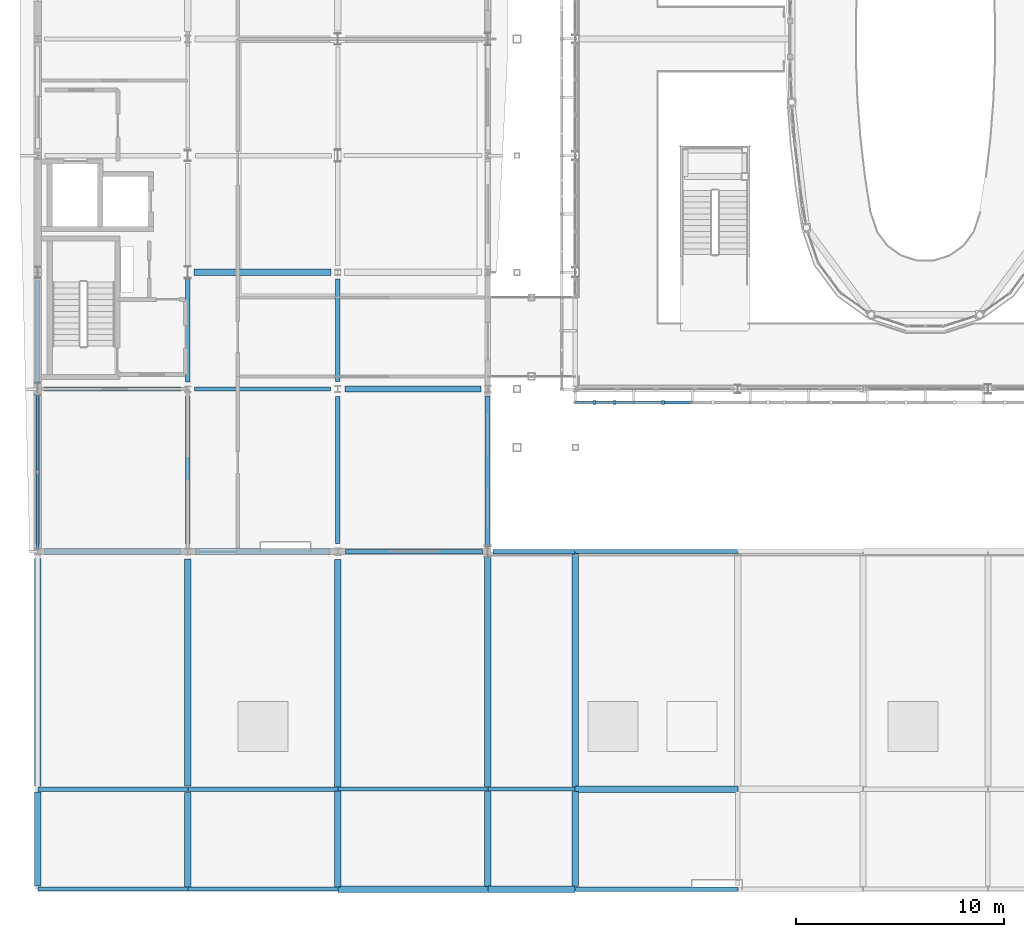
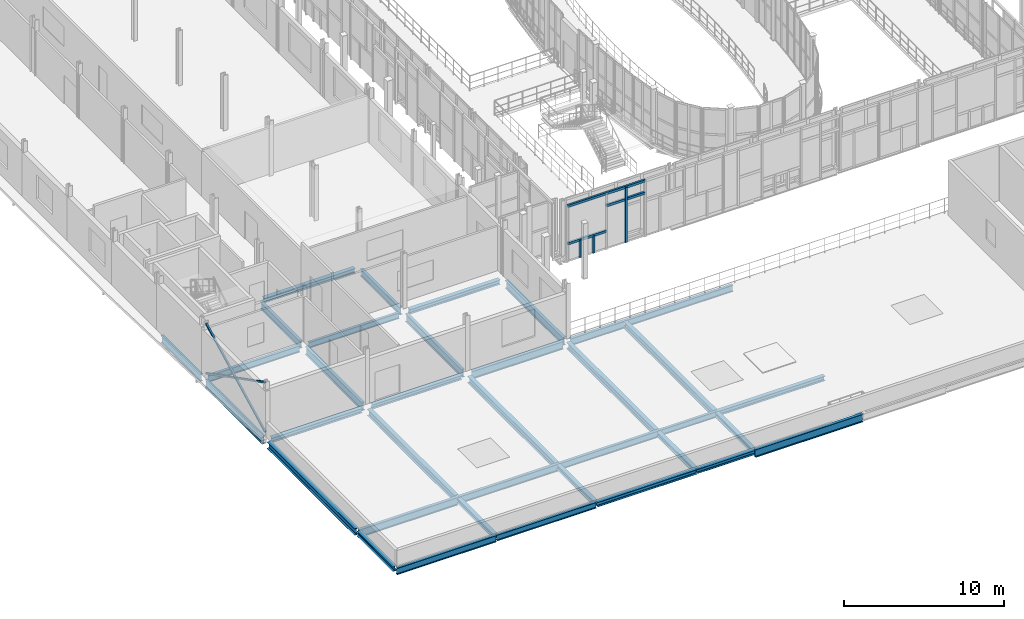
# One storey, part 25 of 138: 36 beams, 10 members.
"""IFC4 building model written with IfcOpenShell, lengths in metres."""

import ifcopenshell
import ifcopenshell.guid

model = None  # the IFC model being written
_history = None  # IfcOwnerHistory: only IFC2X3 demands one
_inside = {}  # id of a spatial element -> (the spatial element, [elements in it])
_under = {}  # id of a project, library or spatial element -> (it, [spatial elements below it])
_declared = {}  # id of a project -> (the project, [libraries it declares])
_typed = {}  # id of a type object -> (the type object, [elements of that type])
_made_of = {}  # id of a material, layer set ... -> (it, [elements and type objects made of it])


def new_model(schema):
    """Start an empty IFC model of exactly this schema.

    Asked for "IFC4X3", IfcOpenShell would pick the latest addendum, in which some entities
    have other attributes; the version numbers below select the first issue.
    IFC2X3 requires an IfcOwnerHistory on every rooted entity: one is made here for all.
    """
    global model, _history
    if schema == "IFC4X3":
        model = ifcopenshell.file(schema_version=(4, 3, 0, 0))
    else:
        model = ifcopenshell.file(schema=schema)
    _inside.clear()
    _under.clear()
    _declared.clear()
    _typed.clear()
    _made_of.clear()
    _history = None
    if model.schema == "IFC2X3":
        org = make("IfcOrganization", Name="unknown")
        user = make(
            "IfcPersonAndOrganization",
            ThePerson=make("IfcPerson", FamilyName="unknown"),
            TheOrganization=org,
        )
        app = make(
            "IfcApplication",
            ApplicationDeveloper=org,
            Version="unknown",
            ApplicationFullName="unknown",
            ApplicationIdentifier="unknown",
        )
        _history = make(
            "IfcOwnerHistory",
            OwningUser=user,
            OwningApplication=app,
            ChangeAction="ADDED",
            CreationDate=0,
        )
    return model


def make(cls, **values):
    """One entity of the class cls with the attributes given. An attribute that is None is left unset."""
    return model.create_entity(
        cls, **{name: value for name, value in values.items() if value is not None}
    )


def rooted(cls, **values):
    """An entity with a GlobalId (a new one), such as an element, a storey or a relation."""
    return make(cls, GlobalId=ifcopenshell.guid.new(), OwnerHistory=_history, **values)


def si_unit(unit_type, name, prefix=None):
    """IfcSIUnit, for example si_unit("LENGTHUNIT", "METRE", prefix="MILLI")."""
    return make("IfcSIUnit", UnitType=unit_type, Prefix=prefix, Name=name)


def assignment(units):
    """IfcUnitAssignment: the units of a project."""
    return None if units is None else make("IfcUnitAssignment", Units=units)


def point(xyz):
    """IfcCartesianPoint."""
    return None if xyz is None else make("IfcCartesianPoint", Coordinates=xyz)


def direction(xyz):
    """IfcDirection."""
    return None if xyz is None else make("IfcDirection", DirectionRatios=xyz)


def frame(location, z_axis=None, x_axis=None):
    """IfcAxis2Placement3D, a coordinate frame: its origin and axes. An axis left out is left unset."""
    return make(
        "IfcAxis2Placement3D",
        Location=point(location),
        Axis=direction(z_axis),
        RefDirection=direction(x_axis),
    )


def frame_2d(location, x_axis=None):
    """IfcAxis2Placement2D, a coordinate frame in the plane: its origin and x axis."""
    return make(
        "IfcAxis2Placement2D", Location=point(location), RefDirection=direction(x_axis)
    )


def origin():
    """The frame at (0, 0, 0) with its axes left unset."""
    return frame((0.0, 0.0, 0.0))


def origin_2d():
    """The frame at (0, 0) in the plane with its x axis left unset."""
    return frame_2d((0.0, 0.0))


def place(relative_to, where):
    """IfcLocalPlacement: puts the frame where relative to a parent placement (None: the world)."""
    return make(
        "IfcLocalPlacement", PlacementRelTo=relative_to, RelativePlacement=where
    )


def context(
    kind, dimensions, precision=None, world=None, true_north=None, identifier=None
):
    """IfcGeometricRepresentationContext, for example the 3D "Model" context."""
    return make(
        "IfcGeometricRepresentationContext",
        ContextIdentifier=identifier,
        ContextType=kind,
        CoordinateSpaceDimension=dimensions,
        Precision=precision,
        WorldCoordinateSystem=world,
        TrueNorth=true_north,
    )


def subcontext(parent, identifier, kind, view, scale=None):
    """IfcGeometricRepresentationSubContext, for example "Body" below "Model"."""
    return make(
        "IfcGeometricRepresentationSubContext",
        ContextIdentifier=identifier,
        ContextType=kind,
        ParentContext=parent,
        TargetScale=scale,
        TargetView=view,
    )


def project(units=None, contexts=None):
    """IfcProject with its units and contexts."""
    return rooted(
        "IfcProject",
        Name="project",
        RepresentationContexts=contexts,
        UnitsInContext=assignment(units),
    )


def spatial(cls, under=None, at=None, **own):
    """A site, building, storey or space (cls), placed at a placement, below another one or the project."""
    s = rooted(cls, ObjectPlacement=at, **own)
    if under is not None:
        _under.setdefault(under.id(), (under, []))[1].append(s)
    return s


def profile(cls, at=None, kind="AREA", **sizes):
    """A parametric profile (cls). Its sizes go by their IFC names, for example OverallWidth=200.0."""
    return make(cls, ProfileType=kind, Position=at, **sizes)


def rectangle(**sizes):
    """IfcRectangleProfileDef."""
    return profile("IfcRectangleProfileDef", **sizes)


def hollow_rectangle(**sizes):
    """IfcRectangleHollowProfileDef."""
    return profile("IfcRectangleHollowProfileDef", **sizes)


def i_section(**sizes):
    """IfcIShapeProfileDef."""
    return profile("IfcIShapeProfileDef", **sizes)


def extrude(swept, where, along, depth):
    """IfcExtrudedAreaSolid: the profile swept, set in the frame where, extruded along a direction by depth."""
    return make(
        "IfcExtrudedAreaSolid",
        SweptArea=swept,
        Position=where,
        ExtrudedDirection=direction(along),
        Depth=depth,
    )


def shape(context_of_items, identifier, shape_type, items):
    """IfcShapeRepresentation: the items that make up one representation, for example the "Body"."""
    return make(
        "IfcShapeRepresentation",
        ContextOfItems=context_of_items,
        RepresentationIdentifier=identifier,
        RepresentationType=shape_type,
        Items=items,
    )


def material(Name=None, Category=None):
    """IfcMaterial."""
    return make("IfcMaterial", Name=Name, Category=Category)


def material_profile(
    of_material, cross_section, Name=None, Category=None, Priority=None
):
    """IfcMaterialProfile: a cross section and its material."""
    return make(
        "IfcMaterialProfile",
        Name=Name,
        Material=of_material,
        Profile=cross_section,
        Priority=Priority,
        Category=Category,
    )


def profile_set(profiles, Name=None, composite=None):
    """IfcMaterialProfileSet."""
    return make(
        "IfcMaterialProfileSet",
        Name=Name,
        MaterialProfiles=profiles,
        CompositeProfile=composite,
    )


def made_of(thing, what):
    """Note that an element or type object is made of a material, layer set ...; save() writes the relation."""
    if what is not None:
        _made_of.setdefault(what.id(), (what, []))[1].append(thing)
    return thing


def type_object(cls, material=None, **own):
    """A type object (cls), such as IfcWallType, which elements share."""
    return made_of(rooted(cls, **own), material)


def element(
    cls,
    number,
    at=None,
    inside=None,
    cuts=None,
    type_object=None,
    material=None,
    context=None,
    identifier="Body",
    shape_type=None,
    held_by="IfcProductDefinitionShape",
    body=None,
    shapes=None,
    **own,
):
    """One element of the class cls, such as IfcWall. Its Tag is "e" and its number.

    at: its placement. inside: the storey or other place that contains it. cuts: it is an
    opening in that element (IfcRelVoidsElement). A single representation is given by context,
    identifier, shape_type and body (its items); several are given by shapes. held_by: the class
    of the entity that holds the representations. save() writes the other relations.
    """
    e = rooted(cls, Tag="e%d" % number, ObjectPlacement=at, **own)
    if body is not None:
        shapes = [shape(context, identifier, shape_type, body)]
    if shapes is not None:
        e.Representation = make(held_by, Representations=shapes)
    if inside is not None:
        _inside.setdefault(inside.id(), (inside, []))[1].append(e)
    if cuts is not None:
        rooted(
            "IfcRelVoidsElement", RelatingBuildingElement=cuts, RelatedOpeningElement=e
        )
    if type_object is not None:
        _typed.setdefault(type_object.id(), (type_object, []))[1].append(e)
    return made_of(e, material)


def aggregate(whole, parts):
    """IfcRelAggregates: a whole, such as a stair, and the parts it consists of."""
    return rooted("IfcRelAggregates", RelatingObject=whole, RelatedObjects=parts)


def save(model, path):
    """Write the relations noted so far, then the file.

    IfcRelAggregates (storeys below a building ...), IfcRelContainedInSpatialStructure (elements
    in a storey), IfcRelDefinesByType, IfcRelAssociatesMaterial and IfcRelDeclares: one each for
    every whole, place, type object, material and project.
    """
    for whole, parts in _under.values():
        aggregate(whole, parts)
    for where, things in _inside.values():
        rooted(
            "IfcRelContainedInSpatialStructure",
            RelatedElements=things,
            RelatingStructure=where,
        )
    for kind, things in _typed.values():
        rooted("IfcRelDefinesByType", RelatedObjects=things, RelatingType=kind)
    for what, things in _made_of.values():
        rooted("IfcRelAssociatesMaterial", RelatedObjects=things, RelatingMaterial=what)
    for by, libraries in _declared.values():
        rooted("IfcRelDeclares", RelatingContext=by, RelatedDefinitions=libraries)
    model.write(path)


model = new_model("IFC4")

# Units and contexts
model_context = context("Model", 3, precision=1e-05, world=origin(), true_north=direction((0.0, 1.0)))
body_context = subcontext(model_context, "Body", "Model", "MODEL_VIEW")
ifc_project = project(units=[si_unit("LENGTHUNIT", "METRE"), si_unit("AREAUNIT", "SQUARE_METRE"), si_unit("VOLUMEUNIT", "CUBIC_METRE"), si_unit("PLANEANGLEUNIT", "RADIAN"), si_unit("MASSUNIT", "GRAM", prefix="KILO")], contexts=[model_context])

# Site, building, storey
site_placement = place(None, origin())
site = spatial("IfcSite", under=ifc_project, at=site_placement, CompositionType="ELEMENT")
building_placement = place(site_placement, origin())
building = spatial("IfcBuilding", under=site, at=building_placement, Name="Vinh Khe Railworks Police Headquarters", CompositionType="ELEMENT")
storey_placement = place(building_placement, frame((0.0, 0.0, 9.0)))
storey = spatial("IfcBuildingStorey", under=building, at=storey_placement, Name="L02", CompositionType="ELEMENT", Elevation=9.0)

# Members
ifc_material_1 = material(Name="Steel S355JR", Category="steel")
ifc_material_profile_1 = material_profile(ifc_material_1, hollow_rectangle(XDim=0.1201171875, YDim=0.1201171875, WallThickness=0.008056640625, at=origin_2d()), Name="SHS 120x120x8")
ifc_profile_set_1 = profile_set([ifc_material_profile_1], Name="Steel S355JR")
member_type_1 = type_object("IfcMemberType", Name="Concentric Brace SHS 120x120x8", PredefinedType="BRACE", material=ifc_profile_set_1)
member_1_placement = place(storey_placement, frame((0.60009765625, 17.52490234375, 0.199951171875), z_axis=(0.0, 0.889439597532, 0.45705273475), x_axis=(-1.0, 0.0, 0.0)))
element("IfcMember", 1, at=member_1_placement, inside=storey, type_object=member_type_1, Name="Continuous Concentric Brace MEM-BR-L02-BR-07-007", PredefinedType="BRACE", context=body_context, shape_type="SweptSolid", body=[
    extrude(hollow_rectangle(XDim=0.1201171875, YDim=0.1201171875, WallThickness=0.008056640625, at=origin_2d()), origin(), (0.0, 0.0, 1.0), 8.314208984375),
])
for number, where, z_axis, x_axis, name in (
    (2, (0.60009765625, 17.52490234375, 4.0), (0.0, 0.889436020701, -0.457059695314), (-1.0, 0.0, 0.0), "Split X-Brace Segment MEM-BR-L02-BR-07-008 (2A)"),
    (3, (0.60009765625, 21.278076171875, 2.071533203125), (0.0, 0.889423564531, -0.457083934149), (-1.0, 0.0, 0.0), "Split X-Brace Segment MEM-BR-L02-BR-07-009 (2B)"),
):
    element("IfcMember", number, at=place(storey_placement, frame(where, z_axis=z_axis, x_axis=x_axis)), inside=storey, type_object=member_type_1, Name=name, PredefinedType="BRACE", context=body_context, shape_type="SweptSolid", body=[
        extrude(hollow_rectangle(XDim=0.1201171875, YDim=0.1201171875, WallThickness=0.008056640625, at=origin_2d()), origin(), (0.0, 0.0, 1.0), 4.0947265625),
    ])
ifc_material_2 = material(Name="Salvaged ironwood timber", Category="wood")
ifc_material_profile_2 = material_profile(ifc_material_2, rectangle(XDim=0.139892578125, YDim=0.179931640625, at=origin_2d()), Name="TIMBER 140x180")
ifc_profile_set_2 = profile_set([ifc_material_profile_2], Name="Salvaged ironwood timber")
member_type_2 = type_object("IfcMemberType", Name="MEM-QUILT-STILE", PredefinedType="CHORD", material=ifc_profile_set_2)
for number, where, z_axis, x_axis, name in (
    (4, (26.39990234375, 24.550048828125, 4.1201171875), (1.0, 0.0, 0.0), (0.0, 1.0, 0.0), "Salvaged Timber Quilt Transom S-L02-00-TOP"),
    (5, (26.39990234375, 24.550048828125, 1.260009765625), (1.0, 0.0, 0.0), (0.0, 1.0, 0.0), "Salvaged Timber Quilt Transom S-L02-00-M1"),
):
    element("IfcMember", number, at=place(storey_placement, frame(where, z_axis=z_axis, x_axis=x_axis)), inside=storey, type_object=member_type_2, Name=name, PredefinedType="CHORD", context=body_context, shape_type="SweptSolid", body=[
        extrude(rectangle(XDim=0.139892578125, YDim=0.179931640625, at=origin_2d()), origin(), (0.0, 0.0, 1.0), 2.800048828125),
    ])
for number, where, z_axis, x_axis, name in (
    (6, (27.323974609375, 24.550048828125, -0.080078125), (0.0, 0.0, 1.0), (1.0, 0.0, 0.0), "Salvaged Timber Quilt Stile S-L02-00-V1"),
    (7, (28.27587890625, 24.550048828125, -0.080078125), (0.0, 0.0, 1.0), (1.0, 0.0, 0.0), "Salvaged Timber Quilt Stile S-L02-00-V2"),
):
    element("IfcMember", number, at=place(storey_placement, frame(where, z_axis=z_axis, x_axis=x_axis)), inside=storey, type_object=member_type_2, Name=name, PredefinedType="POST", context=body_context, shape_type="SweptSolid", body=[
        extrude(rectangle(XDim=0.139892578125, YDim=0.179931640625, at=origin_2d()), origin(), (0.0, 0.0, 1.0), 1.340087890625),
    ])
for number, where, z_axis, x_axis, name in (
    (8, (29.199951171875, 24.550048828125, 4.1201171875), (1.0, 0.0, 0.0), (0.0, 1.0, 0.0), "Salvaged Timber Quilt Transom S-L02-01-TOP"),
    (9, (29.199951171875, 24.550048828125, 3.19189453125), (1.0, 0.0, 0.0), (0.0, 1.0, 0.0), "Salvaged Timber Quilt Transom S-L02-01-M1"),
):
    element("IfcMember", number, at=place(storey_placement, frame(where, z_axis=z_axis, x_axis=x_axis)), inside=storey, type_object=member_type_2, Name=name, PredefinedType="CHORD", context=body_context, shape_type="SweptSolid", body=[
        extrude(rectangle(XDim=0.139892578125, YDim=0.179931640625, at=origin_2d()), origin(), (0.0, 0.0, 1.0), 2.800048828125),
    ])
member_2_placement = place(storey_placement, frame((30.60009765625, 24.550048828125, -0.080078125), z_axis=(0.0, 0.0, 1.0), x_axis=(1.0, 0.0, 0.0)))
element("IfcMember", 10, at=member_2_placement, inside=storey, type_object=member_type_2, Name="Salvaged Timber Quilt Stile S-L02-01-V1", PredefinedType="POST", context=body_context, shape_type="SweptSolid", body=[
    extrude(rectangle(XDim=0.139892578125, YDim=0.179931640625, at=origin_2d()), origin(), (0.0, 0.0, 1.0), 4.2001953125),
])

# Beams
ifc_material_profile_3 = material_profile(ifc_material_1, i_section(OverallWidth=0.300048828125, OverallDepth=0.330078125, WebThickness=0.009521484375, FlangeThickness=0.0166015625, FilletRadius=0.027099609375, at=origin_2d()), Name="HEA 340")
ifc_profile_set_3 = profile_set([ifc_material_profile_3], Name="Steel S355JR")
beam_type_1 = type_object("IfcBeamType", Name="Steel Girder HEA 340", PredefinedType="BEAM", material=ifc_profile_set_3)
beam_1_placement = place(storey_placement, frame((22.219970703125, 1.199951171875, -0.385009765625), z_axis=(1.0, 0.0, 0.0), x_axis=(0.0, 1.0, 0.0)))
element("IfcBeam", 11, at=beam_1_placement, inside=storey, type_object=beam_type_1, Name="Girder BM-L02-EW-SB-16-0734", PredefinedType="BEAM", context=body_context, shape_type="SweptSolid", body=[
    extrude(i_section(OverallWidth=0.300048828125, OverallDepth=0.330078125, WebThickness=0.009521484375, FlangeThickness=0.0166015625, FilletRadius=0.027099609375, at=origin_2d()), origin(), (0.0, 0.0, 1.0), 4.159912109375),
])
beam_2_placement = place(storey_placement, frame((8.155029296875, 17.39990234375, -0.385009765625), z_axis=(1.0, 0.0, 0.0), x_axis=(0.0, 1.0, 0.0)))
element("IfcBeam", 12, at=beam_2_placement, inside=storey, type_object=beam_type_1, Name="Girder BM-L02-EW-SB-16-0752", PredefinedType="BEAM", context=body_context, shape_type="SweptSolid", body=[
    extrude(i_section(OverallWidth=0.300048828125, OverallDepth=0.330078125, WebThickness=0.009521484375, FlangeThickness=0.0166015625, FilletRadius=0.027099609375, at=origin_2d()), origin(), (0.0, 0.0, 1.0), 6.465087890625),
])
ifc_material_profile_4 = material_profile(ifc_material_1, i_section(OverallWidth=0.300048828125, OverallDepth=0.35009765625, WebThickness=0.010009765625, FlangeThickness=0.017578125, FilletRadius=0.027099609375, at=origin_2d()), Name="HEA 360")
ifc_profile_set_4 = profile_set([ifc_material_profile_4], Name="Steel S355JR")
beam_type_2 = type_object("IfcBeamType", Name="Steel Girder HEA 360", PredefinedType="BEAM", material=ifc_profile_set_4)
beam_3_placement = place(storey_placement, frame((15.02001953125, 1.199951171875, -0.39501953125), z_axis=(1.0, 0.0, 0.0), x_axis=(0.0, 1.0, 0.0)))
element("IfcBeam", 13, at=beam_3_placement, inside=storey, type_object=beam_type_2, Name="Girder BM-L02-EW-SB-15-0733", PredefinedType="BEAM", context=body_context, shape_type="SweptSolid", body=[
    extrude(i_section(OverallWidth=0.300048828125, OverallDepth=0.35009765625, WebThickness=0.010009765625, FlangeThickness=0.017578125, FilletRadius=0.027099609375, at=origin_2d()), origin(), (0.0, 0.0, 1.0), 7.159912109375),
])
beam_4_placement = place(storey_placement, frame((26.419921875, 6.0, -0.39501953125), z_axis=(1.0, 0.0, 0.0), x_axis=(0.0, 1.0, 0.0)))
element("IfcBeam", 14, at=beam_4_placement, inside=storey, type_object=beam_type_2, Name="Girder BM-L02-EW-SB-15-0745", PredefinedType="BEAM", context=body_context, shape_type="SweptSolid", body=[
    extrude(i_section(OverallWidth=0.300048828125, OverallDepth=0.35009765625, WebThickness=0.010009765625, FlangeThickness=0.017578125, FilletRadius=0.027099609375, at=origin_2d()), origin(), (0.0, 0.0, 1.0), 7.760009765625),
])
for number, where, z_axis, x_axis, name in (
    (15, (0.929931640625, 17.39990234375, -0.39501953125), (1.0, 0.0, 0.0), (0.0, 1.0, 0.0), "Girder BM-L02-EW-SB-15-0751"),
    (16, (15.35498046875, 25.199951171875, -0.39501953125), (1.0, 0.0, 0.0), (0.0, 1.0, 0.0), "Girder BM-L02-EW-SB-15-0763"),
):
    element("IfcBeam", number, at=place(storey_placement, frame(where, z_axis=z_axis, x_axis=x_axis)), inside=storey, type_object=beam_type_2, Name=name, PredefinedType="BEAM", context=body_context, shape_type="SweptSolid", body=[
        extrude(i_section(OverallWidth=0.300048828125, OverallDepth=0.35009765625, WebThickness=0.010009765625, FlangeThickness=0.017578125, FilletRadius=0.027099609375, at=origin_2d()), origin(), (0.0, 0.0, 1.0), 6.51513671875),
    ])
beam_5_placement = place(storey_placement, frame((8.10498046875, 30.800048828125, -0.39501953125), z_axis=(1.0, 0.0, 0.0), x_axis=(0.0, 1.0, 0.0)))
element("IfcBeam", 17, at=beam_5_placement, inside=storey, type_object=beam_type_2, Name="Girder BM-L02-EW-SB-15-0769", PredefinedType="BEAM", context=body_context, shape_type="SweptSolid", body=[
    extrude(i_section(OverallWidth=0.300048828125, OverallDepth=0.35009765625, WebThickness=0.010009765625, FlangeThickness=0.017578125, FilletRadius=0.027099609375, at=origin_2d()), origin(), (0.0, 0.0, 1.0), 6.56494140625),
])
beam_6_placement = place(storey_placement, frame((0.60009765625, 1.35498046875, -0.39501953125), z_axis=(0.0, 1.0, 0.0), x_axis=(-1.0, 0.0, 0.0)))
element("IfcBeam", 18, at=beam_6_placement, inside=storey, type_object=beam_type_2, Name="Girder BM-L02-NS-SB-15-0871", PredefinedType="BEAM", context=body_context, shape_type="SweptSolid", body=[
    extrude(i_section(OverallWidth=0.300048828125, OverallDepth=0.35009765625, WebThickness=0.010009765625, FlangeThickness=0.017578125, FilletRadius=0.027099609375, at=origin_2d()), origin(), (0.0, 0.0, 1.0), 4.5),
])
beam_7_placement = place(storey_placement, frame((7.800048828125, 1.294921875, -0.39501953125), z_axis=(0.0, 1.0, 0.0), x_axis=(-1.0, 0.0, 0.0)))
element("IfcBeam", 19, at=beam_7_placement, inside=storey, type_object=beam_type_2, Name="Girder BM-L02-NS-SB-15-0889", PredefinedType="BEAM", context=body_context, shape_type="SweptSolid", body=[
    extrude(i_section(OverallWidth=0.300048828125, OverallDepth=0.35009765625, WebThickness=0.010009765625, FlangeThickness=0.017578125, FilletRadius=0.027099609375, at=origin_2d()), origin(), (0.0, 0.0, 1.0), 4.550048828125),
])
beam_8_placement = place(storey_placement, frame((15.0, 1.31494140625, -0.39501953125), z_axis=(0.0, 1.0, 0.0), x_axis=(-1.0, 0.0, 0.0)))
element("IfcBeam", 20, at=beam_8_placement, inside=storey, type_object=beam_type_2, Name="Girder BM-L02-NS-SB-15-0907", PredefinedType="BEAM", context=body_context, shape_type="SweptSolid", body=[
    extrude(i_section(OverallWidth=0.300048828125, OverallDepth=0.35009765625, WebThickness=0.010009765625, FlangeThickness=0.017578125, FilletRadius=0.027099609375, at=origin_2d()), origin(), (0.0, 0.0, 1.0), 4.590087890625),
])
for number, where, z_axis, x_axis, name in (
    (21, (22.199951171875, 1.324951171875, -0.39501953125), (0.0, 1.0, 0.0), (-1.0, 0.0, 0.0), "Girder BM-L02-NS-SB-15-0925"),
    (22, (26.39990234375, 1.324951171875, -0.39501953125), (0.0, 1.0, 0.0), (-1.0, 0.0, 0.0), "Girder BM-L02-NS-SB-15-0943"),
):
    element("IfcBeam", number, at=place(storey_placement, frame(where, z_axis=z_axis, x_axis=x_axis)), inside=storey, type_object=beam_type_2, Name=name, PredefinedType="BEAM", context=body_context, shape_type="SweptSolid", body=[
        extrude(i_section(OverallWidth=0.300048828125, OverallDepth=0.35009765625, WebThickness=0.010009765625, FlangeThickness=0.017578125, FilletRadius=0.027099609375, at=origin_2d()), origin(), (0.0, 0.0, 1.0), 4.56005859375),
    ])
ifc_material_profile_5 = material_profile(ifc_material_1, i_section(OverallWidth=0.300048828125, OverallDepth=0.5, WebThickness=0.014404296875, FlangeThickness=0.028076171875, FilletRadius=0.027099609375, at=origin_2d()), Name="HEB 500")
ifc_profile_set_5 = profile_set([ifc_material_profile_5], Name="Steel S355JR")
beam_type_3 = type_object("IfcBeamType", Name="Steel Girder HEB 500", PredefinedType="BEAM", material=ifc_profile_set_5)
beam_9_placement = place(storey_placement, frame((0.60009765625, 6.14501953125, -0.469970703125), z_axis=(0.0, 1.0, 0.0), x_axis=(-1.0, 0.0, 0.0)))
element("IfcBeam", 23, at=beam_9_placement, inside=storey, type_object=beam_type_3, Name="Girder BM-L02-NS-SB-06-0872", PredefinedType="BEAM", context=body_context, shape_type="SweptSolid", body=[
    extrude(i_section(OverallWidth=0.300048828125, OverallDepth=0.5, WebThickness=0.014404296875, FlangeThickness=0.028076171875, FilletRadius=0.027099609375, at=origin_2d()), origin(), (0.0, 0.0, 1.0), 10.925048828125),
])
beam_10_placement = place(storey_placement, frame((7.800048828125, 6.155029296875, -0.469970703125), z_axis=(0.0, 1.0, 0.0), x_axis=(-1.0, 0.0, 0.0)))
element("IfcBeam", 24, at=beam_10_placement, inside=storey, type_object=beam_type_3, Name="Girder BM-L02-NS-SB-06-0890", PredefinedType="BEAM", context=body_context, shape_type="SweptSolid", body=[
    extrude(i_section(OverallWidth=0.300048828125, OverallDepth=0.5, WebThickness=0.014404296875, FlangeThickness=0.028076171875, FilletRadius=0.027099609375, at=origin_2d()), origin(), (0.0, 0.0, 1.0), 10.889892578125),
])
beam_11_placement = place(storey_placement, frame((15.0, 6.094970703125, -0.469970703125), z_axis=(0.0, 1.0, 0.0), x_axis=(-1.0, 0.0, 0.0)))
element("IfcBeam", 25, at=beam_11_placement, inside=storey, type_object=beam_type_3, Name="Girder BM-L02-NS-SB-06-0908", PredefinedType="BEAM", context=body_context, shape_type="SweptSolid", body=[
    extrude(i_section(OverallWidth=0.300048828125, OverallDepth=0.5, WebThickness=0.014404296875, FlangeThickness=0.028076171875, FilletRadius=0.027099609375, at=origin_2d()), origin(), (0.0, 0.0, 1.0), 10.925048828125),
])
beam_12_placement = place(storey_placement, frame((22.199951171875, 6.114990234375, -0.469970703125), z_axis=(0.0, 1.0, 0.0), x_axis=(-1.0, 0.0, 0.0)))
element("IfcBeam", 26, at=beam_12_placement, inside=storey, type_object=beam_type_3, Name="Girder BM-L02-NS-SB-06-0926", PredefinedType="BEAM", context=body_context, shape_type="SweptSolid", body=[
    extrude(i_section(OverallWidth=0.300048828125, OverallDepth=0.5, WebThickness=0.014404296875, FlangeThickness=0.028076171875, FilletRadius=0.027099609375, at=origin_2d()), origin(), (0.0, 0.0, 1.0), 11.030029296875),
])
beam_13_placement = place(storey_placement, frame((26.39990234375, 6.114990234375, -0.469970703125), z_axis=(0.0, 1.0, 0.0), x_axis=(-1.0, 0.0, 0.0)))
element("IfcBeam", 27, at=beam_13_placement, inside=storey, type_object=beam_type_3, Name="Girder BM-L02-NS-SB-06-0944", PredefinedType="BEAM", context=body_context, shape_type="SweptSolid", body=[
    extrude(i_section(OverallWidth=0.300048828125, OverallDepth=0.5, WebThickness=0.014404296875, FlangeThickness=0.028076171875, FilletRadius=0.027099609375, at=origin_2d()), origin(), (0.0, 0.0, 1.0), 11.18994140625),
])
ifc_material_profile_6 = material_profile(ifc_material_1, i_section(OverallWidth=0.18994140625, OverallDepth=0.449951171875, WebThickness=0.009521484375, FlangeThickness=0.0146484375, FilletRadius=0.02099609375, at=origin_2d()), Name="IPE 450")
ifc_profile_set_6 = profile_set([ifc_material_profile_6], Name="Steel S355JR")
beam_type_4 = type_object("IfcBeamType", Name="Steel Girder IPE 450", PredefinedType="BEAM", material=ifc_profile_set_6)
beam_14_placement = place(storey_placement, frame((7.820068359375, 1.199951171875, -0.445068359375), z_axis=(1.0, 0.0, 0.0), x_axis=(0.0, 1.0, 0.0)))
element("IfcBeam", 28, at=beam_14_placement, inside=storey, type_object=beam_type_4, Name="Girder BM-L02-EW-SB-20-0732", PredefinedType="BEAM", context=body_context, shape_type="SweptSolid", body=[
    extrude(i_section(OverallWidth=0.18994140625, OverallDepth=0.449951171875, WebThickness=0.009521484375, FlangeThickness=0.0146484375, FilletRadius=0.02099609375, at=origin_2d()), origin(), (0.0, 0.0, 1.0), 7.159912109375),
])
beam_15_placement = place(storey_placement, frame((22.219970703125, 6.0, -0.445068359375), z_axis=(1.0, 0.0, 0.0), x_axis=(0.0, 1.0, 0.0)))
element("IfcBeam", 29, at=beam_15_placement, inside=storey, type_object=beam_type_4, Name="Girder BM-L02-EW-SB-20-0744", PredefinedType="BEAM", context=body_context, shape_type="SweptSolid", body=[
    extrude(i_section(OverallWidth=0.18994140625, OverallDepth=0.449951171875, WebThickness=0.009521484375, FlangeThickness=0.0146484375, FilletRadius=0.02099609375, at=origin_2d()), origin(), (0.0, 0.0, 1.0), 4.159912109375),
])
beam_16_placement = place(storey_placement, frame((8.1298828125, 25.199951171875, -0.445068359375), z_axis=(1.0, 0.0, 0.0), x_axis=(0.0, 1.0, 0.0)))
element("IfcBeam", 30, at=beam_16_placement, inside=storey, type_object=beam_type_4, Name="Girder BM-L02-EW-SB-20-0762", PredefinedType="BEAM", context=body_context, shape_type="SweptSolid", body=[
    extrude(i_section(OverallWidth=0.18994140625, OverallDepth=0.449951171875, WebThickness=0.009521484375, FlangeThickness=0.0146484375, FilletRadius=0.02099609375, at=origin_2d()), origin(), (0.0, 0.0, 1.0), 6.51513671875),
])
ifc_material_profile_7 = material_profile(ifc_material_1, i_section(OverallWidth=0.199951171875, OverallDepth=0.5, WebThickness=0.01025390625, FlangeThickness=0.01611328125, FilletRadius=0.02099609375, at=origin_2d()), Name="IPE 500")
ifc_profile_set_7 = profile_set([ifc_material_profile_7], Name="Steel S355JR")
beam_type_5 = type_object("IfcBeamType", Name="Steel Girder IPE 500", PredefinedType="BEAM", material=ifc_profile_set_7)
for number, where, z_axis, x_axis, name in (
    (31, (0.6201171875, 1.199951171875, -0.469970703125), (1.0, 0.0, 0.0), (0.0, 1.0, 0.0), "Girder BM-L02-EW-SB-19-0731"),
    (32, (15.02001953125, 6.0, -0.469970703125), (1.0, 0.0, 0.0), (0.0, 1.0, 0.0), "Girder BM-L02-EW-SB-19-0743"),
):
    element("IfcBeam", number, at=place(storey_placement, frame(where, z_axis=z_axis, x_axis=x_axis)), inside=storey, type_object=beam_type_5, Name=name, PredefinedType="BEAM", context=body_context, shape_type="SweptSolid", body=[
        extrude(i_section(OverallWidth=0.199951171875, OverallDepth=0.5, WebThickness=0.01025390625, FlangeThickness=0.01611328125, FilletRadius=0.02099609375, at=origin_2d()), origin(), (0.0, 0.0, 1.0), 7.159912109375),
    ])
beam_17_placement = place(storey_placement, frame((26.419921875, 17.39990234375, -0.469970703125), z_axis=(1.0, 0.0, 0.0), x_axis=(0.0, 1.0, 0.0)))
element("IfcBeam", 33, at=beam_17_placement, inside=storey, type_object=beam_type_5, Name="Girder BM-L02-EW-SB-19-0755", PredefinedType="BEAM", context=body_context, shape_type="SweptSolid", body=[
    extrude(i_section(OverallWidth=0.199951171875, OverallDepth=0.5, WebThickness=0.01025390625, FlangeThickness=0.01611328125, FilletRadius=0.02099609375, at=origin_2d()), origin(), (0.0, 0.0, 1.0), 7.760009765625),
])
beam_18_placement = place(storey_placement, frame((0.905029296875, 25.199951171875, -0.469970703125), z_axis=(1.0, 0.0, 0.0), x_axis=(0.0, 1.0, 0.0)))
element("IfcBeam", 34, at=beam_18_placement, inside=storey, type_object=beam_type_5, Name="Girder BM-L02-EW-SB-19-0761", PredefinedType="BEAM", context=body_context, shape_type="SweptSolid", body=[
    extrude(i_section(OverallWidth=0.199951171875, OverallDepth=0.5, WebThickness=0.01025390625, FlangeThickness=0.01611328125, FilletRadius=0.02099609375, at=origin_2d()), origin(), (0.0, 0.0, 1.0), 6.56494140625),
])
ifc_material_profile_8 = material_profile(ifc_material_1, i_section(OverallWidth=0.2099609375, OverallDepth=0.550048828125, WebThickness=0.010986328125, FlangeThickness=0.01708984375, FilletRadius=0.02392578125, at=origin_2d()), Name="IPE 550")
ifc_profile_set_8 = profile_set([ifc_material_profile_8], Name="Steel S355JR")
beam_type_6 = type_object("IfcBeamType", Name="Steel Girder IPE 550", PredefinedType="BEAM", material=ifc_profile_set_8)
beam_19_placement = place(storey_placement, frame((7.820068359375, 6.0, -0.4951171875), z_axis=(1.0, 0.0, 0.0), x_axis=(0.0, 1.0, 0.0)))
element("IfcBeam", 35, at=beam_19_placement, inside=storey, type_object=beam_type_6, Name="Girder BM-L02-EW-SB-18-0742", PredefinedType="BEAM", context=body_context, shape_type="SweptSolid", body=[
    extrude(i_section(OverallWidth=0.2099609375, OverallDepth=0.550048828125, WebThickness=0.010986328125, FlangeThickness=0.01708984375, FilletRadius=0.02392578125, at=origin_2d()), origin(), (0.0, 0.0, 1.0), 7.159912109375),
])
beam_20_placement = place(storey_placement, frame((22.455078125, 17.39990234375, -0.4951171875), z_axis=(1.0, 0.0, 0.0), x_axis=(0.0, 1.0, 0.0)))
element("IfcBeam", 36, at=beam_20_placement, inside=storey, type_object=beam_type_6, Name="Girder BM-L02-EW-SB-18-0754", PredefinedType="BEAM", context=body_context, shape_type="SweptSolid", body=[
    extrude(i_section(OverallWidth=0.2099609375, OverallDepth=0.550048828125, WebThickness=0.010986328125, FlangeThickness=0.01708984375, FilletRadius=0.02392578125, at=origin_2d()), origin(), (0.0, 0.0, 1.0), 3.9248046875),
])
beam_21_placement = place(storey_placement, frame((0.60009765625, 25.5048828125, -0.4951171875), z_axis=(0.0, 1.0, 0.0), x_axis=(-1.0, 0.0, 0.0)))
element("IfcBeam", 37, at=beam_21_placement, inside=storey, type_object=beam_type_6, Name="Girder BM-L02-NS-SB-18-0874", PredefinedType="BEAM", context=body_context, shape_type="SweptSolid", body=[
    extrude(i_section(OverallWidth=0.2099609375, OverallDepth=0.550048828125, WebThickness=0.010986328125, FlangeThickness=0.01708984375, FilletRadius=0.02392578125, at=origin_2d()), origin(), (0.0, 0.0, 1.0), 4.9150390625),
])
beam_22_placement = place(storey_placement, frame((7.800048828125, 25.530029296875, -0.4951171875), z_axis=(0.0, 1.0, 0.0), x_axis=(-1.0, 0.0, 0.0)))
element("IfcBeam", 38, at=beam_22_placement, inside=storey, type_object=beam_type_6, Name="Girder BM-L02-NS-SB-18-0892", PredefinedType="BEAM", context=body_context, shape_type="SweptSolid", body=[
    extrude(i_section(OverallWidth=0.2099609375, OverallDepth=0.550048828125, WebThickness=0.010986328125, FlangeThickness=0.01708984375, FilletRadius=0.02392578125, at=origin_2d()), origin(), (0.0, 0.0, 1.0), 4.965087890625),
])
beam_23_placement = place(storey_placement, frame((15.0, 25.554931640625, -0.4951171875), z_axis=(0.0, 1.0, 0.0), x_axis=(-1.0, 0.0, 0.0)))
element("IfcBeam", 39, at=beam_23_placement, inside=storey, type_object=beam_type_6, Name="Girder BM-L02-NS-SB-18-0910", PredefinedType="BEAM", context=body_context, shape_type="SweptSolid", body=[
    extrude(i_section(OverallWidth=0.2099609375, OverallDepth=0.550048828125, WebThickness=0.010986328125, FlangeThickness=0.01708984375, FilletRadius=0.02392578125, at=origin_2d()), origin(), (0.0, 0.0, 1.0), 4.9150390625),
])
ifc_material_profile_9 = material_profile(ifc_material_1, i_section(OverallWidth=0.219970703125, OverallDepth=0.60009765625, WebThickness=0.011962890625, FlangeThickness=0.01904296875, FilletRadius=0.02392578125, at=origin_2d()), Name="IPE 600")
ifc_profile_set_9 = profile_set([ifc_material_profile_9], Name="Steel S355JR")
beam_type_7 = type_object("IfcBeamType", Name="Steel Girder IPE 600", PredefinedType="BEAM", material=ifc_profile_set_9)
beam_24_placement = place(storey_placement, frame((26.419921875, 1.199951171875, -0.52001953125), z_axis=(1.0, 0.0, 0.0), x_axis=(0.0, 1.0, 0.0)))
element("IfcBeam", 40, at=beam_24_placement, inside=storey, type_object=beam_type_7, Name="Girder BM-L02-EW-SB-17-0735", PredefinedType="BEAM", context=body_context, shape_type="SweptSolid", body=[
    extrude(i_section(OverallWidth=0.219970703125, OverallDepth=0.60009765625, WebThickness=0.011962890625, FlangeThickness=0.01904296875, FilletRadius=0.02392578125, at=origin_2d()), origin(), (0.0, 0.0, 1.0), 7.760009765625),
])
beam_25_placement = place(storey_placement, frame((0.6201171875, 6.0, -0.52001953125), z_axis=(1.0, 0.0, 0.0), x_axis=(0.0, 1.0, 0.0)))
element("IfcBeam", 41, at=beam_25_placement, inside=storey, type_object=beam_type_7, Name="Girder BM-L02-EW-SB-17-0741", PredefinedType="BEAM", context=body_context, shape_type="SweptSolid", body=[
    extrude(i_section(OverallWidth=0.219970703125, OverallDepth=0.60009765625, WebThickness=0.011962890625, FlangeThickness=0.01904296875, FilletRadius=0.02392578125, at=origin_2d()), origin(), (0.0, 0.0, 1.0), 7.159912109375),
])
beam_26_placement = place(storey_placement, frame((15.3798828125, 17.39990234375, -0.52001953125), z_axis=(1.0, 0.0, 0.0), x_axis=(0.0, 1.0, 0.0)))
element("IfcBeam", 42, at=beam_26_placement, inside=storey, type_object=beam_type_7, Name="Girder BM-L02-EW-SB-17-0753", PredefinedType="BEAM", context=body_context, shape_type="SweptSolid", body=[
    extrude(i_section(OverallWidth=0.219970703125, OverallDepth=0.60009765625, WebThickness=0.011962890625, FlangeThickness=0.01904296875, FilletRadius=0.02392578125, at=origin_2d()), origin(), (0.0, 0.0, 1.0), 6.565185546875),
])
beam_27_placement = place(storey_placement, frame((0.60009765625, 17.72998046875, -0.52001953125), z_axis=(0.0, 1.0, 0.0), x_axis=(-1.0, 0.0, 0.0)))
element("IfcBeam", 43, at=beam_27_placement, inside=storey, type_object=beam_type_7, Name="Girder BM-L02-NS-SB-17-0873", PredefinedType="BEAM", context=body_context, shape_type="SweptSolid", body=[
    extrude(i_section(OverallWidth=0.219970703125, OverallDepth=0.60009765625, WebThickness=0.011962890625, FlangeThickness=0.01904296875, FilletRadius=0.02392578125, at=origin_2d()), origin(), (0.0, 0.0, 1.0), 7.1650390625),
])
beam_28_placement = place(storey_placement, frame((7.800048828125, 17.7548828125, -0.52001953125), z_axis=(0.0, 1.0, 0.0), x_axis=(-1.0, 0.0, 0.0)))
element("IfcBeam", 44, at=beam_28_placement, inside=storey, type_object=beam_type_7, Name="Girder BM-L02-NS-SB-17-0891", PredefinedType="BEAM", context=body_context, shape_type="SweptSolid", body=[
    extrude(i_section(OverallWidth=0.219970703125, OverallDepth=0.60009765625, WebThickness=0.011962890625, FlangeThickness=0.01904296875, FilletRadius=0.02392578125, at=origin_2d()), origin(), (0.0, 0.0, 1.0), 7.115234375),
])
beam_29_placement = place(storey_placement, frame((15.0, 17.780029296875, -0.52001953125), z_axis=(0.0, 1.0, 0.0), x_axis=(-1.0, 0.0, 0.0)))
element("IfcBeam", 45, at=beam_29_placement, inside=storey, type_object=beam_type_7, Name="Girder BM-L02-NS-SB-17-0909", PredefinedType="BEAM", context=body_context, shape_type="SweptSolid", body=[
    extrude(i_section(OverallWidth=0.219970703125, OverallDepth=0.60009765625, WebThickness=0.011962890625, FlangeThickness=0.01904296875, FilletRadius=0.02392578125, at=origin_2d()), origin(), (0.0, 0.0, 1.0), 7.06494140625),
])
beam_30_placement = place(storey_placement, frame((22.199951171875, 17.655029296875, -0.52001953125), z_axis=(0.0, 1.0, 0.0), x_axis=(-1.0, 0.0, 0.0)))
element("IfcBeam", 46, at=beam_30_placement, inside=storey, type_object=beam_type_7, Name="Girder BM-L02-NS-SB-17-0927", PredefinedType="BEAM", context=body_context, shape_type="SweptSolid", body=[
    extrude(i_section(OverallWidth=0.219970703125, OverallDepth=0.60009765625, WebThickness=0.011962890625, FlangeThickness=0.01904296875, FilletRadius=0.02392578125, at=origin_2d()), origin(), (0.0, 0.0, 1.0), 7.215087890625),
])

save(model, "model.ifc")
